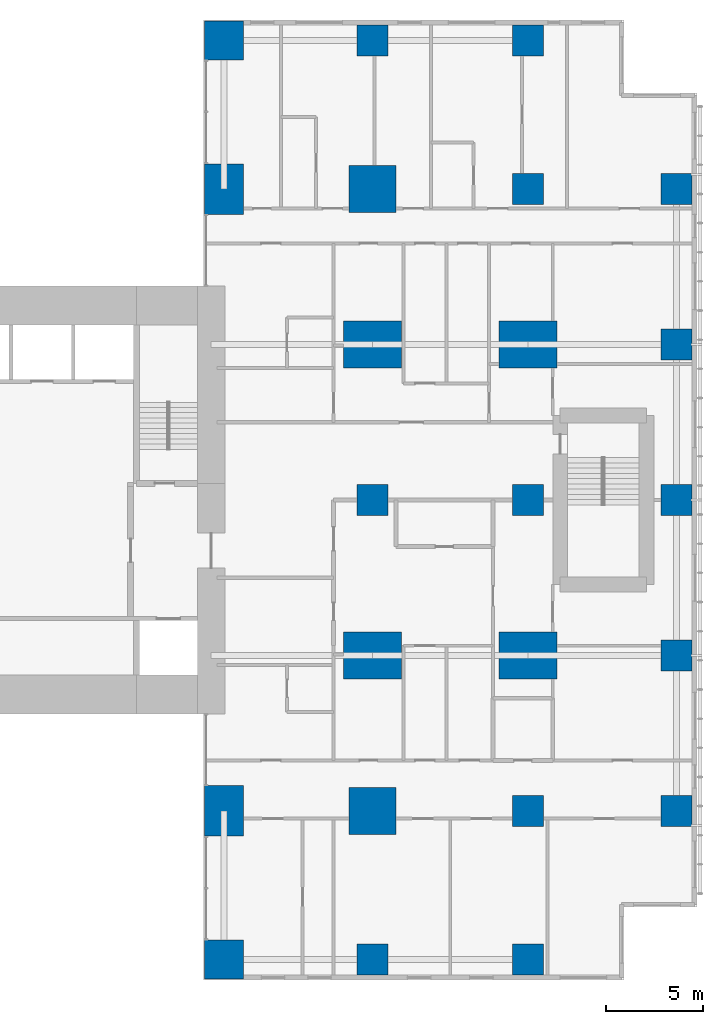
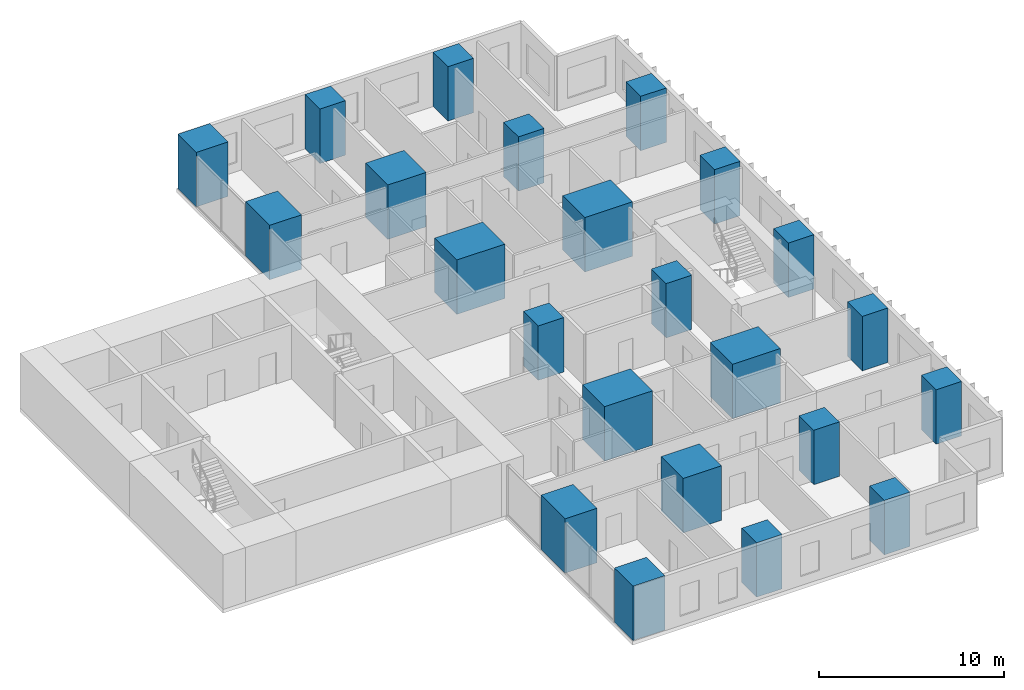
# One storey, part 1 of 12: 23 columns.
"""IFC4 building model written with IfcOpenShell, lengths in metres."""

from ifc_helpers import new_model, si_unit, direction, frame, origin, origin_2d, place, context, subcontext, project, spatial, rectangle, extrude, material, material_profile, profile_set, type_object, element, save


model = new_model("IFC4")

# Units and contexts
model_context = context("Model", 3, precision=1e-05, world=origin(), true_north=direction((0.0, 1.0)))
body_context = subcontext(model_context, "Body", "Model", "MODEL_VIEW")
ifc_project = project(units=[si_unit("LENGTHUNIT", "METRE"), si_unit("AREAUNIT", "SQUARE_METRE"), si_unit("VOLUMEUNIT", "CUBIC_METRE"), si_unit("PLANEANGLEUNIT", "RADIAN"), si_unit("MASSUNIT", "GRAM", prefix="KILO")], contexts=[model_context])

# Site, building, storey
site_placement = place(None, origin())
site = spatial("IfcSite", under=ifc_project, at=site_placement, CompositionType="ELEMENT")
building_placement = place(site_placement, origin())
building = spatial("IfcBuilding", under=site, at=building_placement, Name="Cleftline Residences", CompositionType="ELEMENT")
storey_placement = place(building_placement, frame((0.0, 0.0, 266.39990234375)))
storey = spatial("IfcBuildingStorey", under=building, at=storey_placement, Name="L70", CompositionType="ELEMENT", Elevation=266.39990234375)

# Columns
ifc_material_1 = material(Name="Concrete B70", Category="concrete")
ifc_material_profile_1 = material_profile(ifc_material_1, rectangle(XDim=1.60009765625, YDim=1.60009765625, at=origin_2d()))
ifc_profile_set_1 = profile_set([ifc_material_profile_1], Name="Concrete B70")
column_type_1 = type_object("IfcColumnType", Name="COLUMN RC1600X1600", PredefinedType="COLUMN", material=ifc_profile_set_1)
for number, where, z_axis, x_axis, name in (
    (1, (50.0, 0.35009765625, 0.0), (0.0, 0.0, 1.0), (1.0, 0.0, 0.0), "Column C/9"),
    (2, (50.0, 24.0, 0.0), (0.0, 0.0, 1.0), (1.0, 0.0, 0.0), "Column F/9"),
    (3, (50.0, 47.64990234375, 0.0), (0.0, 0.0, 1.0), (1.0, 0.0, 0.0), "Column J/9"),
    (4, (58.0, 0.35009765625, 0.0), (0.0, 0.0, 1.0), (1.0, 0.0, 0.0), "Column C/10"),
    (5, (58.0, 8.0, 0.0), (0.0, 0.0, 1.0), (1.0, 0.0, 0.0), "Column D/10"),
    (6, (58.0, 24.0, 0.0), (0.0, 0.0, 1.0), (1.0, 0.0, 0.0), "Column F/10"),
    (7, (58.0, 40.0, 0.0), (0.0, 0.0, 1.0), (1.0, 0.0, 0.0), "Column H/10"),
    (8, (58.0, 47.64990234375, 0.0), (0.0, 0.0, 1.0), (1.0, 0.0, 0.0), "Column J/10"),
    (9, (65.64990234375, 8.0, 0.0), (0.0, 0.0, 1.0), (1.0, 0.0, 0.0), "Column D/11"),
    (10, (65.64990234375, 16.0, 0.0), (0.0, 0.0, 1.0), (1.0, 0.0, 0.0), "Column E/11"),
    (11, (65.64990234375, 24.0, 0.0), (0.0, 0.0, 1.0), (1.0, 0.0, 0.0), "Column F/11"),
    (12, (65.64990234375, 32.0, 0.0), (0.0, 0.0, 1.0), (1.0, 0.0, 0.0), "Column G/11"),
    (13, (65.64990234375, 40.0, 0.0), (0.0, 0.0, 1.0), (1.0, 0.0, 0.0), "Column H/11"),
):
    element("IfcColumn", number, at=place(storey_placement, frame(where, z_axis=z_axis, x_axis=x_axis)), inside=storey, type_object=column_type_1, Name=name, PredefinedType="COLUMN", context=body_context, shape_type="SweptSolid", body=[
        extrude(rectangle(XDim=1.60009765625, YDim=1.60009765625, at=origin_2d()), origin(), (0.0, 0.0, 1.0), 3.60009765625),
    ])
ifc_material_2 = material(Name="Concrete B70", Category="concrete")
ifc_material_profile_2 = material_profile(ifc_material_2, rectangle(XDim=2.0, YDim=2.0, at=origin_2d()))
ifc_profile_set_2 = profile_set([ifc_material_profile_2], Name="Concrete B70")
column_type_2 = type_object("IfcColumnType", Name="COLUMN RC2000X2000", PredefinedType="COLUMN", material=ifc_profile_set_2)
for number, where, z_axis, x_axis, name in (
    (14, (42.35009765625, 0.35009765625, 0.0), (0.0, 0.0, 1.0), (1.0, 0.0, 0.0), "Column C/8"),
    (15, (42.35009765625, 47.64990234375, 0.0), (0.0, 0.0, 1.0), (1.0, 0.0, 0.0), "Column J/8"),
):
    element("IfcColumn", number, at=place(storey_placement, frame(where, z_axis=z_axis, x_axis=x_axis)), inside=storey, type_object=column_type_2, Name=name, PredefinedType="COLUMN", context=body_context, shape_type="SweptSolid", body=[
        extrude(rectangle(XDim=2.0, YDim=2.0, at=origin_2d()), origin(), (0.0, 0.0, 1.0), 3.60009765625),
    ])
ifc_material_3 = material(Name="Concrete B70", Category="concrete")
ifc_material_profile_3 = material_profile(ifc_material_3, rectangle(XDim=2.0, YDim=2.60009765625, at=origin_2d()))
ifc_profile_set_3 = profile_set([ifc_material_profile_3], Name="Concrete B70")
column_type_3 = type_object("IfcColumnType", Name="COLUMN RC2000X2600", PredefinedType="COLUMN", material=ifc_profile_set_3)
for number, where, z_axis, x_axis, name in (
    (16, (42.35009765625, 8.0, 0.0), (0.0, 0.0, 1.0), (1.0, 0.0, 0.0), "Column D/8"),
    (17, (42.35009765625, 40.0, 0.0), (0.0, 0.0, 1.0), (1.0, 0.0, 0.0), "Column H/8"),
):
    element("IfcColumn", number, at=place(storey_placement, frame(where, z_axis=z_axis, x_axis=x_axis)), inside=storey, type_object=column_type_3, Name=name, PredefinedType="COLUMN", context=body_context, shape_type="SweptSolid", body=[
        extrude(rectangle(XDim=2.0, YDim=2.60009765625, at=origin_2d()), origin(), (0.0, 0.0, 1.0), 3.60009765625),
    ])
ifc_material_4 = material(Name="Concrete B70", Category="concrete")
ifc_material_profile_4 = material_profile(ifc_material_4, rectangle(XDim=2.39990234375, YDim=2.39990234375, at=origin_2d()))
ifc_profile_set_4 = profile_set([ifc_material_profile_4], Name="Concrete B70")
column_type_4 = type_object("IfcColumnType", Name="COLUMN RC2400X2400", PredefinedType="COLUMN", material=ifc_profile_set_4)
for number, where, z_axis, x_axis, name in (
    (18, (50.0, 8.0, 0.0), (0.0, 0.0, 1.0), (1.0, 0.0, 0.0), "Column D/9"),
    (19, (50.0, 40.0, 0.0), (0.0, 0.0, 1.0), (1.0, 0.0, 0.0), "Column H/9"),
):
    element("IfcColumn", number, at=place(storey_placement, frame(where, z_axis=z_axis, x_axis=x_axis)), inside=storey, type_object=column_type_4, Name=name, PredefinedType="COLUMN", context=body_context, shape_type="SweptSolid", body=[
        extrude(rectangle(XDim=2.39990234375, YDim=2.39990234375, at=origin_2d()), origin(), (0.0, 0.0, 1.0), 3.60009765625),
    ])
ifc_material_5 = material(Name="Concrete B70", Category="concrete")
ifc_material_profile_5 = material_profile(ifc_material_5, rectangle(XDim=3.0, YDim=2.39990234375, at=origin_2d()))
ifc_profile_set_5 = profile_set([ifc_material_profile_5], Name="Concrete B70")
column_type_5 = type_object("IfcColumnType", Name="COLUMN RC3000X2400", PredefinedType="COLUMN", material=ifc_profile_set_5)
for number, where, z_axis, x_axis, name in (
    (20, (50.0, 16.0, 0.0), (0.0, 0.0, 1.0), (1.0, 0.0, 0.0), "Column E/9"),
    (21, (50.0, 32.0, 0.0), (0.0, 0.0, 1.0), (1.0, 0.0, 0.0), "Column G/9"),
    (22, (58.0, 16.0, 0.0), (0.0, 0.0, 1.0), (1.0, 0.0, 0.0), "Column E/10"),
    (23, (58.0, 32.0, 0.0), (0.0, 0.0, 1.0), (1.0, 0.0, 0.0), "Column G/10"),
):
    element("IfcColumn", number, at=place(storey_placement, frame(where, z_axis=z_axis, x_axis=x_axis)), inside=storey, type_object=column_type_5, Name=name, PredefinedType="COLUMN", context=body_context, shape_type="SweptSolid", body=[
        extrude(rectangle(XDim=3.0, YDim=2.39990234375, at=origin_2d()), origin(), (0.0, 0.0, 1.0), 3.60009765625),
    ])

save(model, "model.ifc")
